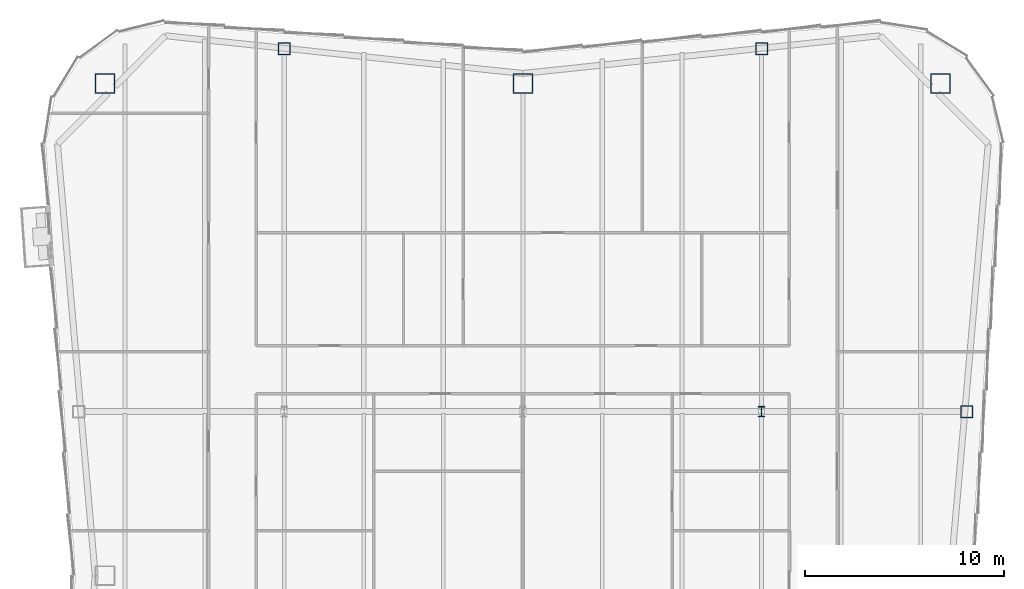
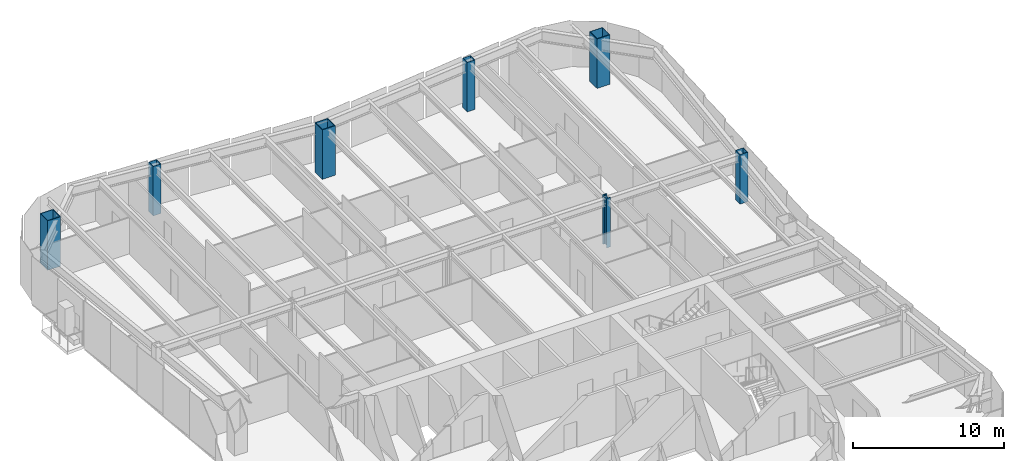
# One storey, part 2 of 11: 7 columns.
"""IFC4 building model written with IfcOpenShell, lengths in metres."""

from ifc_helpers import new_model, si_unit, direction, frame, origin, origin_2d, place, context, subcontext, project, spatial, hollow_rectangle, i_section, extrude, material, material_profile, profile_set, type_object, element, save


model = new_model("IFC4")

# Units and contexts
model_context = context("Model", 3, precision=1e-05, world=origin(), true_north=direction((0.0, 1.0)))
body_context = subcontext(model_context, "Body", "Model", "MODEL_VIEW")
ifc_project = project(units=[si_unit("LENGTHUNIT", "METRE"), si_unit("AREAUNIT", "SQUARE_METRE"), si_unit("VOLUMEUNIT", "CUBIC_METRE"), si_unit("PLANEANGLEUNIT", "RADIAN"), si_unit("MASSUNIT", "GRAM", prefix="KILO")], contexts=[model_context])

# Site, building, storey
site_placement = place(None, origin())
site = spatial("IfcSite", under=ifc_project, at=site_placement, CompositionType="ELEMENT")
building_placement = place(site_placement, origin())
building = spatial("IfcBuilding", under=site, at=building_placement, Name="Verdant Reach Tower", CompositionType="ELEMENT")
storey_placement = place(building_placement, frame((0.0, 0.0, 258.0)))
storey = spatial("IfcBuildingStorey", under=building, at=storey_placement, Name="L59", CompositionType="ELEMENT", Elevation=258.0)

# Columns
ifc_material = material(Name="Steel S460", Category="steel")
ifc_material_profile_1 = material_profile(ifc_material, i_section(OverallWidth=0.305908203125, OverallDepth=0.52392578125, WebThickness=0.012451171875, FlangeThickness=0.0400390625, FilletRadius=0.027099609375, at=origin_2d()), Name="HEM 500")
ifc_profile_set_1 = profile_set([ifc_material_profile_1], Name="Steel S460")
column_type_1 = type_object("IfcColumnType", Name="ST-COL-HEM500", PredefinedType="COLUMN", material=ifc_profile_set_1)
column_placement = place(storey_placement, frame((12.0, 49.5, 0.0), z_axis=(0.0, 0.0, 1.0), x_axis=(1.0, 0.0, 0.0)))
element("IfcColumn", 1, at=column_placement, inside=storey, type_object=column_type_1, Name="Interior column 3, L59", PredefinedType="COLUMN", context=body_context, shape_type="SweptSolid", body=[
    extrude(i_section(OverallWidth=0.305908203125, OverallDepth=0.52392578125, WebThickness=0.012451171875, FlangeThickness=0.0400390625, FilletRadius=0.027099609375, at=origin_2d()), origin(), (0.0, 0.0, 1.0), 4.0),
])
ifc_material_profile_2 = material_profile(ifc_material, hollow_rectangle(XDim=1.0, YDim=1.0, WallThickness=0.044921875, at=origin_2d()), Name="WB 1000x1000x45")
ifc_profile_set_2 = profile_set([ifc_material_profile_2], Name="Steel S460")
column_type_2 = type_object("IfcColumnType", Name="ST-COL-WB1000x1000x45", PredefinedType="COLUMN", material=ifc_profile_set_2)
for number, where, z_axis, x_axis, name in (
    (2, (-21.0, 66.0, 0.0), (0.0, 0.0, 1.0), (1.0, 0.0, 0.0), "Mega column north-west, L59"),
    (3, (0.0, 66.0, 0.0), (0.0, 0.0, 1.0), (1.0, 0.0, 0.0), "Mega column north, L59"),
    (4, (21.0, 66.0, 0.0), (0.0, 0.0, 1.0), (1.0, 0.0, 0.0), "Mega column north-east, L59"),
):
    element("IfcColumn", number, at=place(storey_placement, frame(where, z_axis=z_axis, x_axis=x_axis)), inside=storey, type_object=column_type_2, Name=name, PredefinedType="COLUMN", context=body_context, shape_type="SweptSolid", body=[
        extrude(hollow_rectangle(XDim=1.0, YDim=1.0, WallThickness=0.044921875, at=origin_2d()), origin(), (0.0, 0.0, 1.0), 4.0),
    ])
ifc_material_profile_3 = material_profile(ifc_material, hollow_rectangle(XDim=0.60009765625, YDim=0.60009765625, WallThickness=0.02490234375, at=origin_2d()), Name="WB 600x600x25")
ifc_profile_set_3 = profile_set([ifc_material_profile_3], Name="Steel S460")
column_type_3 = type_object("IfcColumnType", Name="ST-COL-WB600x600x25", PredefinedType="COLUMN", material=ifc_profile_set_3)
for number, where, z_axis, x_axis, name in (
    (5, (-12.0, 67.75, 0.0), (0.0, 0.0, 1.0), (1.0, 0.0, 0.0), "Perimeter column north 1, L59"),
    (6, (12.0, 67.75, 0.0), (0.0, 0.0, 1.0), (1.0, 0.0, 0.0), "Perimeter column north 2, L59"),
    (7, (22.319091796875, 49.5, 0.0), (0.0, 0.0, 1.0), (1.0, 0.0, 0.0), "Perimeter column east 2, L59"),
):
    element("IfcColumn", number, at=place(storey_placement, frame(where, z_axis=z_axis, x_axis=x_axis)), inside=storey, type_object=column_type_3, Name=name, PredefinedType="COLUMN", context=body_context, shape_type="SweptSolid", body=[
        extrude(hollow_rectangle(XDim=0.60009765625, YDim=0.60009765625, WallThickness=0.02490234375, at=origin_2d()), origin(), (0.0, 0.0, 1.0), 4.0),
    ])

save(model, "model.ifc")
